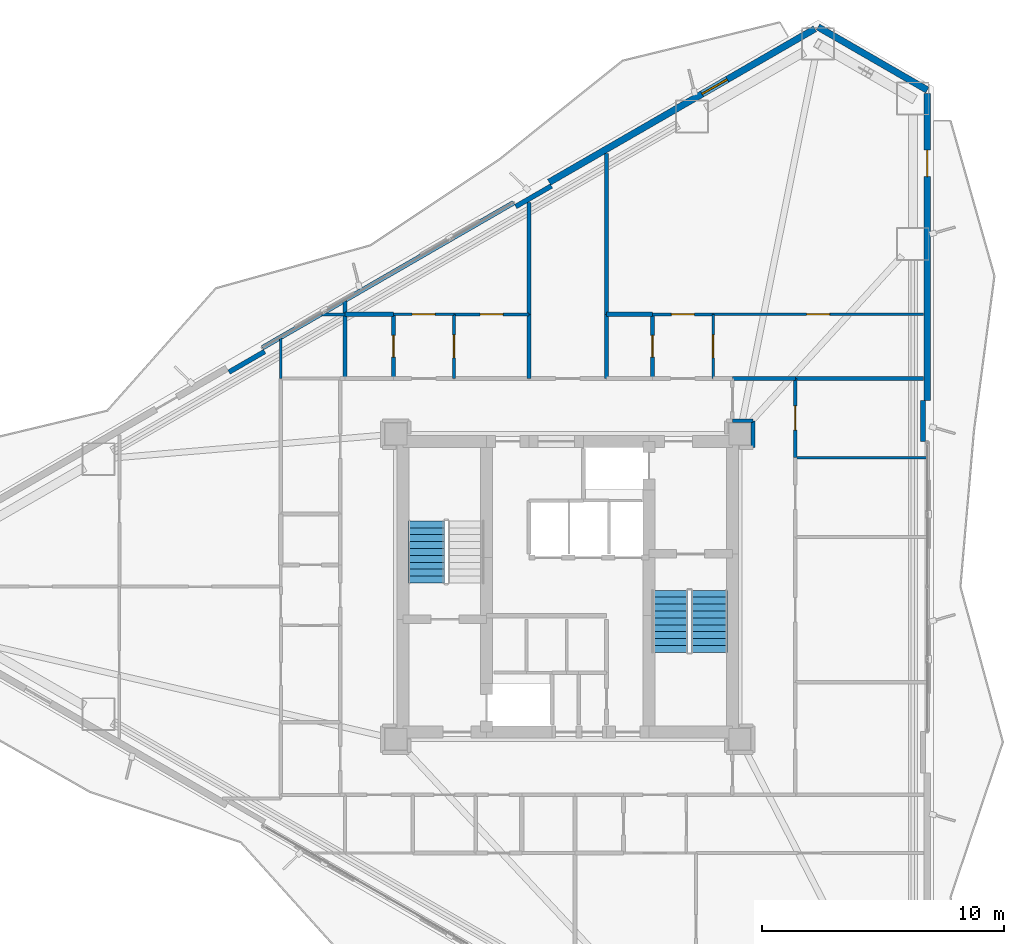
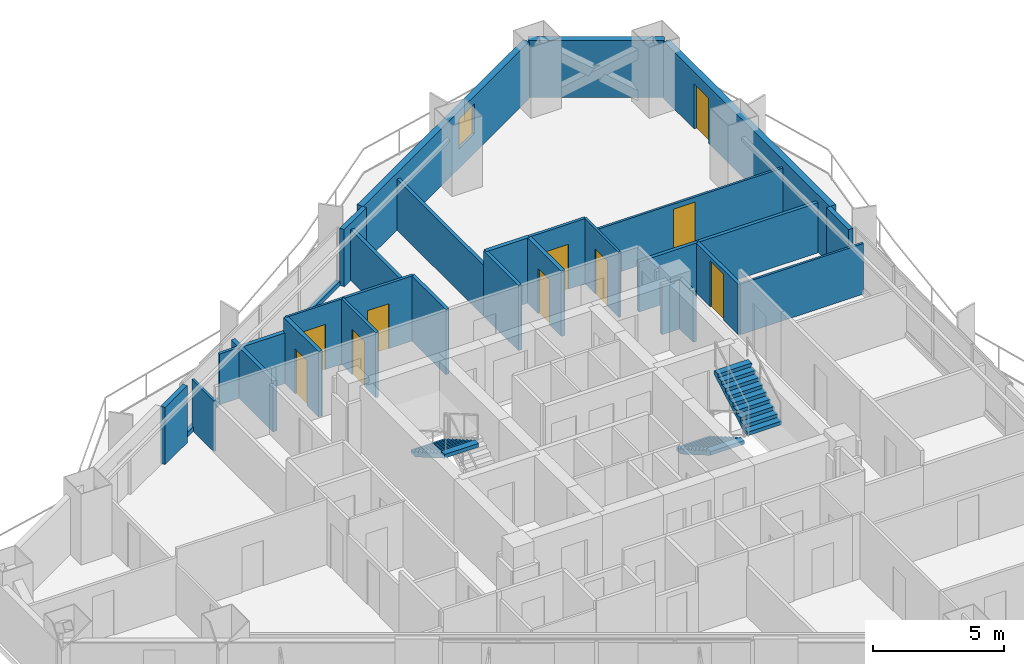
# One storey, part 16 of 19: 30 walls, 10 doors, 3 stair flights, 1 window, 11 openings, 2 elements without a shape of their own.
"""IFC4 building model written with IfcOpenShell, lengths in metres."""

from ifc_helpers import new_model, si_unit, direction, frame, frame_2d, origin, place, context, subcontext, project, spatial, polyline, rectangle, outline, extrude, material, layer, layer_set, type_object, element, fill, aggregate, save


model = new_model("IFC4")

# Units and contexts
model_context = context("Model", 3, precision=1e-05, world=origin(), true_north=direction((0.0, 1.0)))
body_context = subcontext(model_context, "Body", "Model", "MODEL_VIEW")
ifc_project = project(units=[si_unit("LENGTHUNIT", "METRE"), si_unit("AREAUNIT", "SQUARE_METRE"), si_unit("VOLUMEUNIT", "CUBIC_METRE"), si_unit("PLANEANGLEUNIT", "RADIAN"), si_unit("MASSUNIT", "GRAM", prefix="KILO")], contexts=[model_context])

# Site, building, storey
site_placement = place(None, origin())
site = spatial("IfcSite", under=ifc_project, at=site_placement, CompositionType="ELEMENT")
building_placement = place(site_placement, origin())
building = spatial("IfcBuilding", under=site, at=building_placement, Name="Mersakhor Tower and Convention Hall", CompositionType="ELEMENT")
storey_placement = place(building_placement, frame((0.0, 0.0, 42.300048828125)))
storey = spatial("IfcBuildingStorey", under=building, at=storey_placement, Name="L11", CompositionType="ELEMENT", Elevation=42.300048828125)

# Wall
ifc_material_1 = material(Name="Precast concrete C45/55", Category="concrete")
ifc_layer_1 = layer(ifc_material_1, 0.27490234375)
ifc_layer_set_1 = layer_set([ifc_layer_1], Name="Precast concrete C45/55")
wall_type_1 = type_object("IfcWallType", Name="WL-EXT-275", PredefinedType="SOLIDWALL", material=ifc_layer_set_1)
wall_1_placement = place(storey_placement, frame((39.3369140625, 49.865234375, 0.0), z_axis=(0.0, 0.0, 1.0), x_axis=(0.866043601342, -0.499968479581, 0.0)))
element("IfcWall", 1, at=wall_1_placement, inside=storey, type_object=wall_type_1, Name="L11 Chamfer Braced Spandrel Wall C1", PredefinedType="SOLIDWALL", context=body_context, shape_type="SweptSolid", body=[
    extrude(rectangle(XDim=5.211181640625, YDim=0.27490234375, at=frame_2d((2.60546875, 0.0))), origin(), (0.0, 0.0, 1.0), 2.659912109375),
])

# Wall, opening, window
wall_2_placement = place(storey_placement, frame((28.231689453125, 43.453857421875, 0.0), z_axis=(0.0, 0.0, 1.0), x_axis=(0.86603192154, 0.499988710747, 0.0)))
wall_2 = element("IfcWall", 2, at=wall_2_placement, inside=storey, type_object=wall_type_1, Name="L11 Exterior Facade Wall F1-B3", PredefinedType="SOLIDWALL", context=body_context, shape_type="SweptSolid", body=[
    extrude(rectangle(XDim=12.673095703125, YDim=0.27490234375, at=frame_2d((6.33642578125, 0.0))), origin(), (0.0, 0.0, 1.0), 2.659912109375),
])
opening_1_placement = place(wall_2_placement, frame((7.2939453125, 0.0, 0.89990234375)))
opening_1 = element("IfcOpeningElement", 3, at=opening_1_placement, cuts=wall_2, Name="Opening W-01", PredefinedType="OPENING", context=body_context, shape_type="SweptSolid", body=[
    extrude(rectangle(XDim=1.199951171875, YDim=1.39990234375, at=frame_2d((0.60009765625, 0.699951171875))), frame((0.0, 0.1474609375, 0.0), z_axis=(0.0, -1.0, 0.0), x_axis=(1.0, 0.0, 0.0)), (0.0, 0.0, 1.0), 0.294921875),
])
ifc_material_2 = material(Name="Dark solar low-E glazed aluminium window", Category="aluminium")
window_type = type_object("IfcWindowType", Name="WN-RES-120x150", PartitioningType="SINGLE_PANEL", PredefinedType="WINDOW", material=ifc_material_2)
window_placement = place(opening_1_placement, origin())
window = element("IfcWindow", 4, at=window_placement, inside=storey, type_object=window_type, Name="L11 Bedroom Facade Window F1-B3-1", OverallHeight=1.39990234375, OverallWidth=1.199951171875, PartitioningType="SINGLE_PANEL", PredefinedType="WINDOW", context=body_context, shape_type="SweptSolid", body=[
    extrude(rectangle(XDim=1.199951171875, YDim=1.39990234375, at=frame_2d((0.60009765625, 0.699951171875))), frame((0.0, 0.030029296875, 0.0), z_axis=(0.0, -1.0, 0.0), x_axis=(1.0, 0.0, 0.0)), (0.0, 0.0, 1.0), 0.06005859375),
])
fill(opening_1, window)

# Wall, opening, door
wall_3_placement = place(storey_placement, frame((43.85009765625, 47.109619140625, 0.0), z_axis=(0.0, 0.0, 1.0), x_axis=(0.0, -1.0, 0.0)))
wall_3 = element("IfcWall", 5, at=wall_3_placement, inside=storey, type_object=wall_type_1, Name="L11 Exterior Facade Wall F2-B1", PredefinedType="SOLIDWALL", context=body_context, shape_type="SweptSolid", body=[
    extrude(rectangle(XDim=12.673095703125, YDim=0.27490234375, at=frame_2d((6.33642578125, 0.0))), origin(), (0.0, 0.0, 1.0), 2.659912109375),
])
opening_2_placement = place(wall_3_placement, frame((2.324951171875, 0.0, 0.0)))
opening_2 = element("IfcOpeningElement", 6, at=opening_2_placement, cuts=wall_3, Name="Opening BD-02", PredefinedType="OPENING", context=body_context, shape_type="SweptSolid", body=[
    extrude(rectangle(XDim=1.10009765625, YDim=2.10009765625, at=frame_2d((0.550048828125, 1.050048828125))), frame((0.0, 0.1474609375, 0.0), z_axis=(0.0, -1.0, 0.0), x_axis=(1.0, 0.0, 0.0)), (0.0, 0.0, 1.0), 0.294921875),
])
ifc_material_3 = material(Name="Thermally broken dark aluminium and safety glass", Category="aluminium")
door_type_1 = type_object("IfcDoorType", Name="DR-BAL-110x210", OperationType="NOTDEFINED", PredefinedType="DOOR", material=ifc_material_3)
door_1_placement = place(opening_2_placement, origin())
door_1 = element("IfcDoor", 7, at=door_1_placement, inside=storey, type_object=door_type_1, Name="L11 Balcony Terrace Door F2-B1", OperationType="SINGLE_SWING_RIGHT", OverallHeight=2.10009765625, OverallWidth=1.10009765625, PredefinedType="DOOR", context=body_context, shape_type="SweptSolid", body=[
    extrude(rectangle(XDim=1.10009765625, YDim=2.10009765625, at=frame_2d((0.550048828125, 1.050048828125))), frame((0.0, 0.02490234375, 0.0), z_axis=(0.0, -1.0, 0.0), x_axis=(1.0, 0.0, 0.0)), (0.0, 0.0, 1.0), 0.050048828125),
])
fill(opening_2, door_1)

# Walls
ifc_material_4 = material(Name="Precast concrete C40/50", Category="concrete")
ifc_layer_2 = layer(ifc_material_4, 0.199951171875)
ifc_layer_set_2 = layer_set([ifc_layer_2], Name="Precast concrete C40/50")
wall_type_2 = type_object("IfcWallType", Name="WL-PAR-200", PredefinedType="PARAPET", material=ifc_layer_set_2)
wall_4_placement = place(storey_placement, frame((16.390380859375, 36.6171875, 0.0), z_axis=(0.0, 0.0, 1.0), x_axis=(0.866027351828, 0.499996625875, 0.0)))
element("IfcWall", 8, at=wall_4_placement, inside=storey, type_object=wall_type_2, Name="L11 Curtain Wall Upstand Sill F1-B2", PredefinedType="PARAPET", context=body_context, shape_type="SweptSolid", body=[
    extrude(rectangle(XDim=11.97314453125, YDim=0.199951171875, at=frame_2d((5.986572265625, 0.0))), origin(), (0.0, 0.0, 1.0), 0.199951171875),
])
for number, where, z_axis, x_axis, name in (
    (9, (15.00830078125, 35.611328125, 0.0), (0.0, 0.0, 1.0), (0.86605165483, 0.499954529098, 0.0), "L11 Column Pier Cladding Wall F1-C1"),
    (10, (26.849609375, 42.447998046875, 0.0), (0.0, 0.0, 1.0), (0.86605165483, 0.499954529098, 0.0), "L11 Column Pier Cladding Wall F1-C2"),
    (11, (43.669921875, 34.4365234375, 0.0), (0.0, 0.0, 1.0), (0.0, -1.0, 0.0), "L11 Column Pier Cladding Wall F2-C1"),
):
    element("IfcWall", number, at=place(storey_placement, frame(where, z_axis=z_axis, x_axis=x_axis)), inside=storey, type_object=wall_type_2, Name=name, PredefinedType="PARAPET", context=body_context, shape_type="SweptSolid", body=[
        extrude(rectangle(XDim=1.699951171875, YDim=0.199951171875, at=frame_2d((0.85009765625, 0.0))), origin(), (0.0, 0.0, 1.0), 2.659912109375),
    ])

# Wall, opening, door
ifc_material_5 = material(Name="Moisture-resistant acoustic drywall studwork", Category="other")
ifc_layer_3 = layer(ifc_material_5, 0.175048828125)
ifc_layer_set_3 = layer_set([ifc_layer_3], Name="Moisture-resistant acoustic drywall studwork")
wall_type_3 = type_object("IfcWallType", Name="WL-PLM-175", PredefinedType="PLUMBINGWALL", material=ifc_layer_set_3)
wall_5_placement = place(storey_placement, frame((21.800048828125, 35.35009765625, 0.0), z_axis=(0.0, 0.0, 1.0), x_axis=(0.0, 1.0, 0.0)))
wall_5 = element("IfcWall", 12, at=wall_5_placement, inside=storey, type_object=wall_type_3, Name="L11 Interior Partition Wall P-068", PredefinedType="PLUMBINGWALL", context=body_context, shape_type="SweptSolid", body=[
    extrude(rectangle(XDim=2.64990234375, YDim=0.175048828125, at=frame_2d((1.324951171875, 0.0))), origin(), (0.0, 0.0, 1.0), 3.0400390625),
])
opening_3_placement = place(wall_5_placement, frame((0.875, 0.0, 0.0)))
opening_3 = element("IfcOpeningElement", 13, at=opening_3_placement, cuts=wall_5, Name="Opening WD-01", PredefinedType="OPENING", context=body_context, shape_type="SweptSolid", body=[
    extrude(rectangle(XDim=0.89990234375, YDim=2.10009765625, at=frame_2d((0.449951171875, 1.050048828125))), frame((0.0, 0.097412109375, 0.0), z_axis=(0.0, -1.0, 0.0), x_axis=(1.0, 0.0, 0.0)), (0.0, 0.0, 1.0), 0.195068359375),
])
ifc_material_6 = material(Name="Solid-core hardwood leaf in painted steel frame", Category="steel")
door_type_2 = type_object("IfcDoorType", Name="DR-INT-WET-090x210", OperationType="NOTDEFINED", PredefinedType="DOOR", material=ifc_material_6)
door_2_placement = place(opening_3_placement, origin())
door_2 = element("IfcDoor", 14, at=door_2_placement, inside=storey, type_object=door_type_2, Name="L11 L11 Flat N1 Apartment Hall to L11 Flat N1 Bathroom Door", OperationType="SINGLE_SWING_RIGHT", OverallHeight=2.10009765625, OverallWidth=0.89990234375, PredefinedType="DOOR", context=body_context, shape_type="SweptSolid", body=[
    extrude(rectangle(XDim=0.89990234375, YDim=2.10009765625, at=frame_2d((0.449951171875, 1.050048828125))), frame((0.0, 0.02490234375, 0.0), z_axis=(0.0, -1.0, 0.0), x_axis=(1.0, 0.0, 0.0)), (0.0, 0.0, 1.0), 0.050048828125),
])
fill(opening_3, door_2)

wall_6_placement = place(storey_placement, frame((32.5, 35.35009765625, 0.0), z_axis=(0.0, 0.0, 1.0), x_axis=(0.0, 1.0, 0.0)))
wall_6 = element("IfcWall", 15, at=wall_6_placement, inside=storey, type_object=wall_type_3, Name="L11 Interior Partition Wall P-071", PredefinedType="PLUMBINGWALL", context=body_context, shape_type="SweptSolid", body=[
    extrude(rectangle(XDim=2.64990234375, YDim=0.175048828125, at=frame_2d((1.324951171875, 0.0))), origin(), (0.0, 0.0, 1.0), 3.0400390625),
])
opening_4_placement = place(wall_6_placement, frame((0.875, 0.0, 0.0)))
opening_4 = element("IfcOpeningElement", 16, at=opening_4_placement, cuts=wall_6, Name="Opening WD-01", PredefinedType="OPENING", context=body_context, shape_type="SweptSolid", body=[
    extrude(rectangle(XDim=0.89990234375, YDim=2.10009765625, at=frame_2d((0.449951171875, 1.050048828125))), frame((0.0, 0.097412109375, 0.0), z_axis=(0.0, -1.0, 0.0), x_axis=(1.0, 0.0, 0.0)), (0.0, 0.0, 1.0), 0.195068359375),
])
door_3_placement = place(opening_4_placement, origin())
door_3 = element("IfcDoor", 17, at=door_3_placement, inside=storey, type_object=door_type_2, Name="L11 L11 Flat N2 Apartment Hall to L11 Flat N2 Bathroom Door", OperationType="SINGLE_SWING_LEFT", OverallHeight=2.10009765625, OverallWidth=0.89990234375, PredefinedType="DOOR", context=body_context, shape_type="SweptSolid", body=[
    extrude(rectangle(XDim=0.89990234375, YDim=2.10009765625, at=frame_2d((0.449951171875, 1.050048828125))), frame((0.0, 0.02490234375, 0.0), z_axis=(0.0, -1.0, 0.0), x_axis=(1.0, 0.0, 0.0)), (0.0, 0.0, 1.0), 0.050048828125),
])
fill(opening_4, door_3)

# Walls
wall_7_placement = place(storey_placement, frame((19.800048828125, 38.0, 0.0), z_axis=(0.0, 0.0, 1.0), x_axis=(1.0, 0.0, 0.0)))
element("IfcWall", 18, at=wall_7_placement, inside=storey, type_object=wall_type_3, Name="L11 Interior Partition Wall P-079", PredefinedType="PLUMBINGWALL", context=body_context, shape_type="SweptSolid", body=[
    extrude(rectangle(XDim=2.0, YDim=0.175048828125, at=frame_2d((1.0, 0.0))), origin(), (0.0, 0.0, 1.0), 2.364990234375),
])
wall_8_placement = place(storey_placement, frame((19.800048828125, 35.35009765625, 0.0), z_axis=(0.0, 0.0, 1.0), x_axis=(0.0, 1.0, 0.0)))
element("IfcWall", 19, at=wall_8_placement, inside=storey, type_object=wall_type_3, Name="L11 Interior Partition Wall P-080", PredefinedType="PLUMBINGWALL", context=body_context, shape_type="SweptSolid", body=[
    extrude(rectangle(XDim=3.194091796875, YDim=0.175048828125, at=frame_2d((1.59716796875, 0.0))), origin(), (0.0, 0.0, 1.0), 2.364990234375),
])
wall_9_placement = place(storey_placement, frame((30.60009765625, 38.0, 0.0), z_axis=(0.0, 0.0, 1.0), x_axis=(1.0, 0.0, 0.0)))
element("IfcWall", 20, at=wall_9_placement, inside=storey, type_object=wall_type_3, Name="L11 Interior Partition Wall P-083", PredefinedType="PLUMBINGWALL", context=body_context, shape_type="SweptSolid", body=[
    extrude(rectangle(XDim=1.89990234375, YDim=0.175048828125, at=frame_2d((0.949951171875, 0.0))), origin(), (0.0, 0.0, 1.0), 3.0400390625),
])

# Wall, opening, door
ifc_material_7 = material(Name="Lightweight gypsum partition", Category="other")
ifc_layer_4 = layer(ifc_material_7, 0.10009765625)
ifc_layer_set_4 = layer_set([ifc_layer_4], Name="Lightweight gypsum partition")
wall_type_4 = type_object("IfcWallType", Name="WL-PRT-100", PredefinedType="PARTITIONING", material=ifc_layer_set_4)
wall_10_placement = place(storey_placement, frame((21.800048828125, 38.0, 0.0), z_axis=(0.0, 0.0, 1.0), x_axis=(1.0, 0.0, 0.0)))
wall_10 = element("IfcWall", 21, at=wall_10_placement, inside=storey, type_object=wall_type_4, Name="L11 Interior Partition Wall P-066", PredefinedType="PARTITIONING", context=body_context, shape_type="SweptSolid", body=[
    extrude(rectangle(XDim=2.5, YDim=0.10009765625, at=frame_2d((1.25, 0.0))), origin(), (0.0, 0.0, 1.0), 3.0400390625),
])
opening_5_placement = place(wall_10_placement, frame((0.77490234375, 0.0, 0.0)))
opening_5 = element("IfcOpeningElement", 22, at=opening_5_placement, cuts=wall_10, Name="Opening RD-01", PredefinedType="OPENING", context=body_context, shape_type="SweptSolid", body=[
    extrude(rectangle(XDim=0.949951171875, YDim=2.10009765625, at=frame_2d((0.47509765625, 1.050048828125))), frame((0.0, 0.06005859375, 0.0), z_axis=(0.0, -1.0, 0.0), x_axis=(1.0, 0.0, 0.0)), (0.0, 0.0, 1.0), 0.1201171875),
])
ifc_material_8 = material(Name="Solid-core hardwood leaf in painted steel frame", Category="steel")
door_type_3 = type_object("IfcDoorType", Name="DR-INT-RM-095x210", OperationType="NOTDEFINED", PredefinedType="DOOR", material=ifc_material_8)
door_4_placement = place(opening_5_placement, origin())
door_4 = element("IfcDoor", 23, at=door_4_placement, inside=storey, type_object=door_type_3, Name="L11 L11 Flat N1 Apartment Hall to L11 Flat N1 Studio Living and Sleeping Room Door", OperationType="SINGLE_SWING_RIGHT", OverallHeight=2.10009765625, OverallWidth=0.949951171875, PredefinedType="DOOR", context=body_context, shape_type="SweptSolid", body=[
    extrude(rectangle(XDim=0.949951171875, YDim=2.10009765625, at=frame_2d((0.47509765625, 1.050048828125))), frame((0.0, 0.02490234375, 0.0), z_axis=(0.0, -1.0, 0.0), x_axis=(1.0, 0.0, 0.0)), (0.0, 0.0, 1.0), 0.050048828125),
])
fill(opening_5, door_4)

wall_11_placement = place(storey_placement, frame((35.0, 38.0, 0.0), z_axis=(0.0, 0.0, 1.0), x_axis=(0.0, -1.0, 0.0)))
wall_11 = element("IfcWall", 24, at=wall_11_placement, inside=storey, type_object=wall_type_4, Name="L11 Interior Partition Wall P-070", PredefinedType="PARTITIONING", context=body_context, shape_type="SweptSolid", body=[
    extrude(rectangle(XDim=2.64990234375, YDim=0.10009765625, at=frame_2d((1.324951171875, 0.0))), origin(), (0.0, 0.0, 1.0), 3.0400390625),
])
opening_6_placement = place(wall_11_placement, frame((0.85009765625, 0.0, 0.0)))
opening_6 = element("IfcOpeningElement", 25, at=opening_6_placement, cuts=wall_11, Name="Opening RD-01", PredefinedType="OPENING", context=body_context, shape_type="SweptSolid", body=[
    extrude(rectangle(XDim=0.949951171875, YDim=2.10009765625, at=frame_2d((0.47509765625, 1.050048828125))), frame((0.0, 0.06005859375, 0.0), z_axis=(0.0, -1.0, 0.0), x_axis=(1.0, 0.0, 0.0)), (0.0, 0.0, 1.0), 0.1201171875),
])
door_5_placement = place(opening_6_placement, origin())
door_5 = element("IfcDoor", 26, at=door_5_placement, inside=storey, type_object=door_type_3, Name="L11 L11 Flat N2 Apartment Hall to L11 Flat N2 Kitchen Door", OperationType="SINGLE_SWING_RIGHT", OverallHeight=2.10009765625, OverallWidth=0.949951171875, PredefinedType="DOOR", context=body_context, shape_type="SweptSolid", body=[
    extrude(rectangle(XDim=0.949951171875, YDim=2.10009765625, at=frame_2d((0.47509765625, 1.050048828125))), frame((0.0, 0.02490234375, 0.0), z_axis=(0.0, -1.0, 0.0), x_axis=(1.0, 0.0, 0.0)), (0.0, 0.0, 1.0), 0.050048828125),
])
fill(opening_6, door_5)

wall_12_placement = place(storey_placement, frame((35.0, 38.0, 0.0), z_axis=(0.0, 0.0, 1.0), x_axis=(1.0, 0.0, 0.0)))
wall_12 = element("IfcWall", 27, at=wall_12_placement, inside=storey, type_object=wall_type_4, Name="L11 Interior Partition Wall P-086", PredefinedType="PARTITIONING", context=body_context, shape_type="SweptSolid", body=[
    extrude(rectangle(XDim=8.6884765625, YDim=0.10009765625, at=frame_2d((4.34423828125, 0.0))), origin(), (0.0, 0.0, 1.0), 2.33740234375),
])
opening_7_placement = place(wall_12_placement, frame((3.869140625, 0.0, 0.0)))
opening_7 = element("IfcOpeningElement", 28, at=opening_7_placement, cuts=wall_12, Name="Opening RD-01", PredefinedType="OPENING", context=body_context, shape_type="SweptSolid", body=[
    extrude(rectangle(XDim=0.949951171875, YDim=2.10009765625, at=frame_2d((0.47509765625, 1.050048828125))), frame((0.0, 0.06005859375, 0.0), z_axis=(0.0, -1.0, 0.0), x_axis=(1.0, 0.0, 0.0)), (0.0, 0.0, 1.0), 0.1201171875),
])
door_6_placement = place(opening_7_placement, origin())
door_6 = element("IfcDoor", 29, at=door_6_placement, inside=storey, type_object=door_type_3, Name="L11 L11 Flat N2 Kitchen to L11 Flat N2 Studio Living and Sleeping Room Door", OperationType="SINGLE_SWING_LEFT", OverallHeight=2.10009765625, OverallWidth=0.949951171875, PredefinedType="DOOR", context=body_context, shape_type="SweptSolid", body=[
    extrude(rectangle(XDim=0.949951171875, YDim=2.10009765625, at=frame_2d((0.47509765625, 1.050048828125))), frame((0.0, 0.02490234375, 0.0), z_axis=(0.0, -1.0, 0.0), x_axis=(1.0, 0.0, 0.0)), (0.0, 0.0, 1.0), 0.050048828125),
])
fill(opening_7, door_6)

# Walls
wall_13_placement = place(storey_placement, frame((38.39990234375, 32.080078125, 0.0), z_axis=(0.0, 0.0, 1.0), x_axis=(1.0, 0.0, 0.0)))
element("IfcWall", 30, at=wall_13_placement, inside=storey, type_object=wall_type_4, Name="L11 Interior Partition Wall P-106", PredefinedType="PARTITIONING", context=body_context, shape_type="SweptSolid", body=[
    extrude(rectangle(XDim=5.4140625, YDim=0.10009765625, at=frame_2d((2.70703125, 0.0))), origin(), (0.0, 0.0, 1.0), 2.364990234375),
])
wall_14_placement = place(storey_placement, frame((17.14990234375, 37.01416015625, 0.0), z_axis=(0.0, 0.0, 1.0), x_axis=(0.0, -1.0, 0.0)))
element("IfcWall", 31, at=wall_14_placement, inside=storey, type_object=wall_type_4, Name="L11 Interior Partition Wall P-126", PredefinedType="PARTITIONING", context=body_context, shape_type="SweptSolid", body=[
    extrude(rectangle(XDim=1.6640625, YDim=0.10009765625, at=frame_2d((0.83203125, 0.0))), origin(), (0.0, 0.0, 1.0), 2.364990234375),
])

# Wall, opening, door
ifc_material_9 = material(Name="Gypsum board acoustic partition", Category="other")
ifc_layer_5 = layer(ifc_material_9, 0.125)
ifc_layer_set_5 = layer_set([ifc_layer_5], Name="Gypsum board acoustic partition")
wall_type_5 = type_object("IfcWallType", Name="WL-PRT-125", PredefinedType="PARTITIONING", material=ifc_layer_set_5)
wall_15_placement = place(storey_placement, frame((24.300048828125, 38.0, 0.0), z_axis=(0.0, 0.0, 1.0), x_axis=(0.0, -1.0, 0.0)))
wall_15 = element("IfcWall", 32, at=wall_15_placement, inside=storey, type_object=wall_type_5, Name="L11 Interior Partition Wall P-067", PredefinedType="PARTITIONING", context=body_context, shape_type="SweptSolid", body=[
    extrude(rectangle(XDim=2.64990234375, YDim=0.125, at=frame_2d((1.324951171875, 0.0))), origin(), (0.0, 0.0, 1.0), 3.0400390625),
])
opening_8_placement = place(wall_15_placement, frame((0.85009765625, 0.0, 0.0)))
opening_8 = element("IfcOpeningElement", 33, at=opening_8_placement, cuts=wall_15, Name="Opening RD-01", PredefinedType="OPENING", context=body_context, shape_type="SweptSolid", body=[
    extrude(rectangle(XDim=0.949951171875, YDim=2.10009765625, at=frame_2d((0.47509765625, 1.050048828125))), frame((0.0, 0.072509765625, 0.0), z_axis=(0.0, -1.0, 0.0), x_axis=(1.0, 0.0, 0.0)), (0.0, 0.0, 1.0), 0.14501953125),
])
door_7_placement = place(opening_8_placement, origin())
door_7 = element("IfcDoor", 34, at=door_7_placement, inside=storey, type_object=door_type_3, Name="L11 L11 Flat N1 Apartment Hall to L11 Flat N1 Kitchen Door", OperationType="SINGLE_SWING_LEFT", OverallHeight=2.10009765625, OverallWidth=0.949951171875, PredefinedType="DOOR", context=body_context, shape_type="SweptSolid", body=[
    extrude(rectangle(XDim=0.949951171875, YDim=2.10009765625, at=frame_2d((0.47509765625, 1.050048828125))), frame((0.0, 0.02490234375, 0.0), z_axis=(0.0, -1.0, 0.0), x_axis=(1.0, 0.0, 0.0)), (0.0, 0.0, 1.0), 0.050048828125),
])
fill(opening_8, door_7)

wall_16_placement = place(storey_placement, frame((32.5, 38.0, 0.0), z_axis=(0.0, 0.0, 1.0), x_axis=(1.0, 0.0, 0.0)))
wall_16 = element("IfcWall", 35, at=wall_16_placement, inside=storey, type_object=wall_type_5, Name="L11 Interior Partition Wall P-069", PredefinedType="PARTITIONING", context=body_context, shape_type="SweptSolid", body=[
    extrude(rectangle(XDim=2.5, YDim=0.125, at=frame_2d((1.25, 0.0))), origin(), (0.0, 0.0, 1.0), 3.0400390625),
])
opening_9_placement = place(wall_16_placement, frame((0.77490234375, 0.0, 0.0)))
opening_9 = element("IfcOpeningElement", 36, at=opening_9_placement, cuts=wall_16, Name="Opening RD-01", PredefinedType="OPENING", context=body_context, shape_type="SweptSolid", body=[
    extrude(rectangle(XDim=0.949951171875, YDim=2.10009765625, at=frame_2d((0.47509765625, 1.050048828125))), frame((0.0, 0.072509765625, 0.0), z_axis=(0.0, -1.0, 0.0), x_axis=(1.0, 0.0, 0.0)), (0.0, 0.0, 1.0), 0.14501953125),
])
door_8_placement = place(opening_9_placement, origin())
door_8 = element("IfcDoor", 37, at=door_8_placement, inside=storey, type_object=door_type_3, Name="L11 L11 Flat N2 Apartment Hall to L11 Flat N2 Studio Living and Sleeping Room Door", OperationType="SINGLE_SWING_LEFT", OverallHeight=2.10009765625, OverallWidth=0.949951171875, PredefinedType="DOOR", context=body_context, shape_type="SweptSolid", body=[
    extrude(rectangle(XDim=0.949951171875, YDim=2.10009765625, at=frame_2d((0.47509765625, 1.050048828125))), frame((0.0, 0.02490234375, 0.0), z_axis=(0.0, -1.0, 0.0), x_axis=(1.0, 0.0, 0.0)), (0.0, 0.0, 1.0), 0.050048828125),
])
fill(opening_9, door_8)

wall_17_placement = place(storey_placement, frame((24.300048828125, 38.0, 0.0), z_axis=(0.0, 0.0, 1.0), x_axis=(1.0, 0.0, 0.0)))
wall_17 = element("IfcWall", 38, at=wall_17_placement, inside=storey, type_object=wall_type_5, Name="L11 Interior Partition Wall P-081", PredefinedType="PARTITIONING", context=body_context, shape_type="SweptSolid", body=[
    extrude(rectangle(XDim=3.099853515625, YDim=0.125, at=frame_2d((1.5498046875, 0.0))), origin(), (0.0, 0.0, 1.0), 3.0400390625),
])
opening_10_placement = place(wall_17_placement, frame((1.074951171875, 0.0, 0.0)))
opening_10 = element("IfcOpeningElement", 39, at=opening_10_placement, cuts=wall_17, Name="Opening RD-01", PredefinedType="OPENING", context=body_context, shape_type="SweptSolid", body=[
    extrude(rectangle(XDim=0.949951171875, YDim=2.10009765625, at=frame_2d((0.47509765625, 1.050048828125))), frame((0.0, 0.072509765625, 0.0), z_axis=(0.0, -1.0, 0.0), x_axis=(1.0, 0.0, 0.0)), (0.0, 0.0, 1.0), 0.14501953125),
])
door_9_placement = place(opening_10_placement, origin())
door_9 = element("IfcDoor", 40, at=door_9_placement, inside=storey, type_object=door_type_3, Name="L11 L11 Flat N1 Kitchen to L11 Flat N1 Studio Living and Sleeping Room Door", OperationType="SINGLE_SWING_RIGHT", OverallHeight=2.10009765625, OverallWidth=0.949951171875, PredefinedType="DOOR", context=body_context, shape_type="SweptSolid", body=[
    extrude(rectangle(XDim=0.949951171875, YDim=2.10009765625, at=frame_2d((0.47509765625, 1.050048828125))), frame((0.0, 0.02490234375, 0.0), z_axis=(0.0, -1.0, 0.0), x_axis=(1.0, 0.0, 0.0)), (0.0, 0.0, 1.0), 0.050048828125),
])
fill(opening_10, door_9)

# Walls
wall_18_placement = place(storey_placement, frame((19.800048828125, 38.0, 0.0), z_axis=(0.0, 0.0, 1.0), x_axis=(-1.0, 0.0, 0.0)))
element("IfcWall", 41, at=wall_18_placement, inside=storey, type_object=wall_type_5, Name="L11 Interior Partition Wall P-109", PredefinedType="PARTITIONING", context=body_context, shape_type="SweptSolid", body=[
    extrude(rectangle(XDim=0.948974609375, YDim=0.125, at=frame_2d((0.474609375, 0.0))), origin(), (0.0, 0.0, 1.0), 2.364990234375),
])
ifc_material_10 = material(Name="Fire-rated gypsum board stud partition", Category="other")
ifc_layer_6 = layer(ifc_material_10, 0.14990234375)
ifc_layer_set_6 = layer_set([ifc_layer_6], Name="Fire-rated gypsum board stud partition")
wall_type_6 = type_object("IfcWallType", Name="WL-PRT-150", PredefinedType="PARTITIONING", material=ifc_layer_set_6)
wall_19_placement = place(storey_placement, frame((36.64990234375, 32.5, 0.0), z_axis=(0.0, 0.0, 1.0), x_axis=(0.0, 1.0, 0.0)))
element("IfcWall", 42, at=wall_19_placement, inside=storey, type_object=wall_type_6, Name="L11 Interior Partition Wall P-056", PredefinedType="PARTITIONING", context=body_context, shape_type="SweptSolid", body=[
    extrude(rectangle(XDim=1.10009765625, YDim=0.14990234375, at=frame_2d((0.550048828125, 0.0))), origin(), (0.0, 0.0, 1.0), 2.33740234375),
])
wall_20_placement = place(storey_placement, frame((36.64990234375, 33.60009765625, 0.0), z_axis=(0.0, 0.0, 1.0), x_axis=(-1.0, 0.0, 0.0)))
element("IfcWall", 43, at=wall_20_placement, inside=storey, type_object=wall_type_6, Name="L11 Interior Partition Wall P-057", PredefinedType="PARTITIONING", context=body_context, shape_type="SweptSolid", body=[
    extrude(rectangle(XDim=0.849853515625, YDim=0.14990234375, at=frame_2d((0.4248046875, 0.0))), origin(), (0.0, 0.0, 1.0), 2.33740234375),
])
wall_21_placement = place(storey_placement, frame((35.800048828125, 35.35009765625, 0.0), z_axis=(0.0, 0.0, 1.0), x_axis=(1.0, 0.0, 0.0)))
element("IfcWall", 44, at=wall_21_placement, inside=storey, type_object=wall_type_6, Name="L11 Interior Partition Wall P-058", PredefinedType="PARTITIONING", context=body_context, shape_type="SweptSolid", body=[
    extrude(rectangle(XDim=2.599853515625, YDim=0.14990234375, at=frame_2d((1.2998046875, 0.0))), origin(), (0.0, 0.0, 1.0), 2.33740234375),
])

# Wall, opening, door
wall_22_placement = place(storey_placement, frame((38.39990234375, 35.35009765625, 0.0), z_axis=(0.0, 0.0, 1.0), x_axis=(0.0, -1.0, 0.0)))
wall_22 = element("IfcWall", 45, at=wall_22_placement, inside=storey, type_object=wall_type_6, Name="L11 Interior Partition Wall P-059", PredefinedType="PARTITIONING", context=body_context, shape_type="SweptSolid", body=[
    extrude(rectangle(XDim=3.27001953125, YDim=0.14990234375, at=frame_2d((1.635009765625, 0.0))), origin(), (0.0, 0.0, 1.0), 2.33740234375),
])
opening_11_placement = place(wall_22_placement, frame((1.135009765625, 0.0, 0.0)))
opening_11 = element("IfcOpeningElement", 46, at=opening_11_placement, cuts=wall_22, Name="Opening FD-01", PredefinedType="OPENING", context=body_context, shape_type="SweptSolid", body=[
    extrude(rectangle(XDim=1.0, YDim=2.14990234375, at=frame_2d((0.5, 1.074951171875))), frame((0.0, 0.0849609375, 0.0), z_axis=(0.0, -1.0, 0.0), x_axis=(1.0, 0.0, 0.0)), (0.0, 0.0, 1.0), 0.169921875),
])
ifc_material_11 = material(Name="Fire-rated hardwood leaf and painted steel frame", Category="steel")
door_type_4 = type_object("IfcDoorType", Name="DR-INT-FLT-100x215", OperationType="NOTDEFINED", PredefinedType="DOOR", material=ifc_material_11)
door_10_placement = place(opening_11_placement, origin())
door_10 = element("IfcDoor", 47, at=door_10_placement, inside=storey, type_object=door_type_4, Name="L11 Residential Ring East Corridor to L11 East Wing Shared Study Room Annex Door", OperationType="SINGLE_SWING_LEFT", OverallHeight=2.14990234375, OverallWidth=1.0, PredefinedType="DOOR", context=body_context, shape_type="SweptSolid", body=[
    extrude(rectangle(XDim=1.0, YDim=2.14990234375, at=frame_2d((0.5, 1.074951171875))), frame((0.0, 0.02490234375, 0.0), z_axis=(0.0, -1.0, 0.0), x_axis=(1.0, 0.0, 0.0)), (0.0, 0.0, 1.0), 0.050048828125),
])
fill(opening_11, door_10)

# Walls
for number, where, z_axis, x_axis, name in (
    (48, (27.39990234375, 38.0, 0.0), (0.0, 0.0, 1.0), (0.0, -1.0, 0.0), "L11 Interior Partition Wall P-082"),
    (49, (30.60009765625, 35.35009765625, 0.0), (0.0, 0.0, 1.0), (0.0, 1.0, 0.0), "L11 Interior Partition Wall P-084"),
):
    element("IfcWall", number, at=place(storey_placement, frame(where, z_axis=z_axis, x_axis=x_axis)), inside=storey, type_object=wall_type_6, Name=name, PredefinedType="PARTITIONING", context=body_context, shape_type="SweptSolid", body=[
        extrude(rectangle(XDim=2.64990234375, YDim=0.14990234375, at=frame_2d((1.324951171875, 0.0))), origin(), (0.0, 0.0, 1.0), 3.0400390625),
    ])
wall_23_placement = place(storey_placement, frame((43.6884765625, 35.35009765625, 0.0), z_axis=(0.0, 0.0, 1.0), x_axis=(-1.0, 0.0, 0.0)))
element("IfcWall", 50, at=wall_23_placement, inside=storey, type_object=wall_type_6, Name="L11 Interior Partition Wall P-085", PredefinedType="PARTITIONING", context=body_context, shape_type="SweptSolid", body=[
    extrude(rectangle(XDim=5.28857421875, YDim=0.14990234375, at=frame_2d((2.644287109375, 0.0))), origin(), (0.0, 0.0, 1.0), 2.33740234375),
])
wall_24_placement = place(storey_placement, frame((30.60009765625, 44.634521484375, 0.0), z_axis=(0.0, 0.0, 1.0), x_axis=(0.0, -1.0, 0.0)))
element("IfcWall", 51, at=wall_24_placement, inside=storey, type_object=wall_type_6, Name="L11 Interior Partition Wall P-100", PredefinedType="PARTITIONING", context=body_context, shape_type="SweptSolid", body=[
    extrude(rectangle(XDim=6.634521484375, YDim=0.14990234375, at=frame_2d((3.3173828125, 0.0))), origin(), (0.0, 0.0, 1.0), 2.364990234375),
])
wall_25_placement = place(storey_placement, frame((27.39990234375, 38.0, 0.0), z_axis=(0.0, 0.0, 1.0), x_axis=(0.0, 1.0, 0.0)))
element("IfcWall", 52, at=wall_25_placement, inside=storey, type_object=wall_type_6, Name="L11 Interior Partition Wall P-101", PredefinedType="PARTITIONING", context=body_context, shape_type="SweptSolid", body=[
    extrude(rectangle(XDim=4.62255859375, YDim=0.14990234375, at=frame_2d((2.311279296875, 0.0))), origin(), (0.0, 0.0, 1.0), 2.364990234375),
])

# Stair, stair flight
ifc_material_12 = material(Name="Concrete C45/55", Category="concrete")
stair_type = type_object("IfcStairType", Name="ST-TWR-20R", PredefinedType="HALF_TURN_STAIR", material=ifc_material_12)
stair_1_placement = place(storey_placement, origin())
stair_1 = element("IfcStair", 53, at=stair_1_placement, inside=storey, type_object=stair_type, Name="L11 Tower Protected Exit Stair ST-1", PredefinedType="HALF_TURN_STAIR")
ifc_material_13 = material(Name="Concrete C45/55", Category="concrete")
stair_flight_type = type_object("IfcStairFlightType", Name="SFL-TWR-20R", PredefinedType="STRAIGHT", material=ifc_material_13)
stair_flight_1_placement = place(storey_placement, frame((23.14990234375, 29.465087890625, 1.64990234375), z_axis=(0.0, 0.0, 1.0), x_axis=(0.0, -1.0, 0.0)))
stair_flight_1 = element("IfcStairFlight", 54, at=stair_flight_1_placement, type_object=stair_flight_type, Name="ST-1 flight 2", NumberOfRisers=10, NumberOfTreads=9, PredefinedType="STRAIGHT", RiserHeight=0.165, TreadLength=0.285, context=body_context, shape_type="SweptSolid", body=[
    extrude(outline(polyline([(0.0, 0.0), (0.0, 0.1650390625), (0.284912109375, 0.1650390625), (0.284912109375, 0.330078125), (0.570068359375, 0.330078125), (0.570068359375, 0.4951171875), (0.85498046875, 0.4951171875), (0.85498046875, 0.659912109375), (1.139892578125, 0.659912109375), (1.139892578125, 0.824951171875), (1.425048828125, 0.824951171875), (1.425048828125, 0.989990234375), (1.7099609375, 0.989990234375), (1.7099609375, 1.155029296875), (1.9951171875, 1.155029296875), (1.9951171875, 1.320068359375), (2.280029296875, 1.320068359375), (2.280029296875, 1.485107421875), (2.56494140625, 1.485107421875), (2.56494140625, 1.64990234375), (2.56494140625, 1.311767578125), (0.299072265625, 0.0), (0.0, 0.0)])), frame((0.0, 0.75, 0.0), z_axis=(0.0, -1.0, 0.0), x_axis=(1.0, 0.0, 0.0)), (0.0, 0.0, 1.0), 1.5),
])
aggregate(stair_1, [stair_flight_1])

# Stair, stair flights
stair_2_placement = place(storey_placement, origin())
stair_2 = element("IfcStair", 55, at=stair_2_placement, inside=storey, type_object=stair_type, Name="L11 Tower Protected Exit Stair ST-2", PredefinedType="HALF_TURN_STAIR")
stair_flight_2_placement = place(storey_placement, frame((33.199951171875, 26.60009765625, 0.0), z_axis=(0.0, 0.0, 1.0), x_axis=(0.0, -1.0, 0.0)))
stair_flight_2 = element("IfcStairFlight", 56, at=stair_flight_2_placement, type_object=stair_flight_type, Name="ST-2 flight 1", NumberOfRisers=10, NumberOfTreads=9, PredefinedType="STRAIGHT", RiserHeight=0.165, TreadLength=0.285, context=body_context, shape_type="SweptSolid", body=[
    extrude(outline(polyline([(0.0, 0.0), (0.0, 0.1650390625), (0.284912109375, 0.1650390625), (0.284912109375, 0.330078125), (0.570068359375, 0.330078125), (0.570068359375, 0.4951171875), (0.85498046875, 0.4951171875), (0.85498046875, 0.659912109375), (1.139892578125, 0.659912109375), (1.139892578125, 0.824951171875), (1.425048828125, 0.824951171875), (1.425048828125, 0.989990234375), (1.7099609375, 0.989990234375), (1.7099609375, 1.155029296875), (1.9951171875, 1.155029296875), (1.9951171875, 1.320068359375), (2.280029296875, 1.320068359375), (2.280029296875, 1.485107421875), (2.56494140625, 1.485107421875), (2.56494140625, 1.64990234375), (2.56494140625, 1.311767578125), (0.299072265625, 0.0), (0.0, 0.0)])), frame((0.0, 0.75, 0.0), z_axis=(0.0, -1.0, 0.0), x_axis=(1.0, 0.0, 0.0)), (0.0, 0.0, 1.0), 1.5),
])
stair_flight_3_placement = place(storey_placement, frame((34.85009765625, 24.034912109375, 1.64990234375), z_axis=(0.0, 0.0, 1.0), x_axis=(0.0, 1.0, 0.0)))
stair_flight_3 = element("IfcStairFlight", 57, at=stair_flight_3_placement, type_object=stair_flight_type, Name="ST-2 flight 2", NumberOfRisers=10, NumberOfTreads=9, PredefinedType="STRAIGHT", RiserHeight=0.165, TreadLength=0.285, context=body_context, shape_type="SweptSolid", body=[
    extrude(outline(polyline([(0.0, 0.0), (0.0, 0.1650390625), (0.284912109375, 0.1650390625), (0.284912109375, 0.330078125), (0.570068359375, 0.330078125), (0.570068359375, 0.4951171875), (0.85498046875, 0.4951171875), (0.85498046875, 0.659912109375), (1.139892578125, 0.659912109375), (1.139892578125, 0.824951171875), (1.425048828125, 0.824951171875), (1.425048828125, 0.989990234375), (1.7099609375, 0.989990234375), (1.7099609375, 1.155029296875), (1.9951171875, 1.155029296875), (1.9951171875, 1.320068359375), (2.280029296875, 1.320068359375), (2.280029296875, 1.485107421875), (2.56494140625, 1.485107421875), (2.56494140625, 1.64990234375), (2.56494140625, 1.311767578125), (0.299072265625, 0.0), (0.0, 0.0)])), frame((0.0, 0.75, 0.0), z_axis=(0.0, -1.0, 0.0), x_axis=(1.0, 0.0, 0.0)), (0.0, 0.0, 1.0), 1.5),
])
aggregate(stair_2, [stair_flight_2, stair_flight_3])

save(model, "model.ifc")
